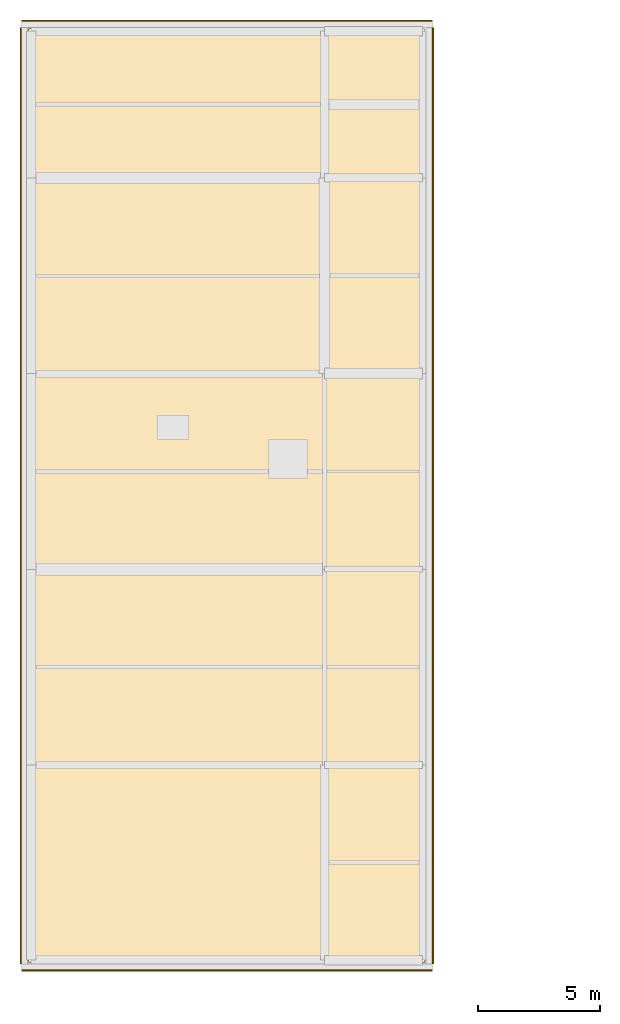
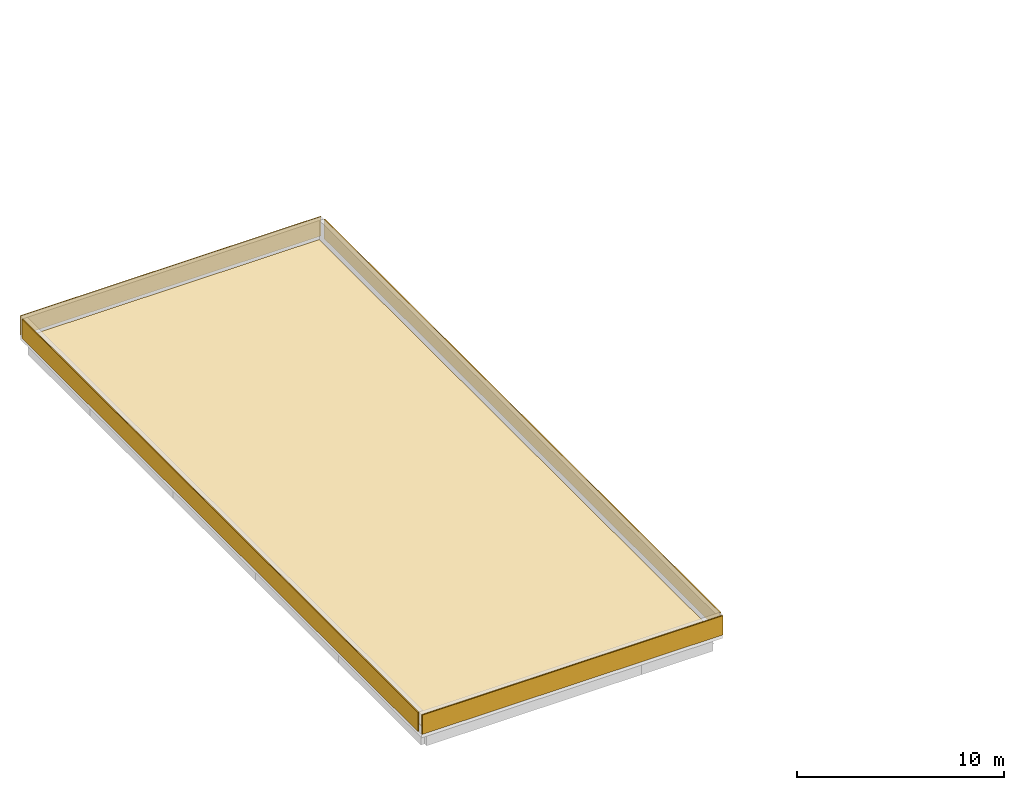
# One storey, part 19 of 22: 5 coverings.
"""IFC4 building model written with IfcOpenShell, lengths in metres."""

from ifc_helpers import new_model, si_unit, direction, frame, origin, origin_2d, place, context, subcontext, project, spatial, polyline, rectangle, outline, extrude, material, layer, layer_set, type_object, element, save


model = new_model("IFC4")

# Units and contexts
model_context = context("Model", 3, precision=1e-05, world=origin(), true_north=direction((0.0, 1.0)))
body_context = subcontext(model_context, "Body", "Model", "MODEL_VIEW")
ifc_project = project(units=[si_unit("LENGTHUNIT", "METRE"), si_unit("AREAUNIT", "SQUARE_METRE"), si_unit("VOLUMEUNIT", "CUBIC_METRE"), si_unit("PLANEANGLEUNIT", "RADIAN"), si_unit("MASSUNIT", "GRAM", prefix="KILO")], contexts=[model_context])

# Site, building, storey
site_placement = place(None, origin())
site = spatial("IfcSite", under=ifc_project, at=site_placement, CompositionType="ELEMENT")
building_placement = place(site_placement, origin())
building = spatial("IfcBuilding", under=site, at=building_placement, Name="Qalavern Law Courts", CompositionType="ELEMENT")
storey_placement = place(building_placement, frame((0.0, 0.0, 35.39990234375)))
storey = spatial("IfcBuildingStorey", under=building, at=storey_placement, Name="L08", CompositionType="ELEMENT", Elevation=35.39990234375)

# Coverings
ifc_material_1 = material(Name="Precast concrete C40/50", Category="concrete")
ifc_layer_1 = layer(ifc_material_1, 0.06005859375)
ifc_layer_set_1 = layer_set([ifc_layer_1], Name="Precast concrete C40/50")
covering_type_1 = type_object("IfcCoveringType", Name="ENV-CLD-1", PredefinedType="CLADDING", material=ifc_layer_set_1)
covering_1_placement = place(storey_placement, frame((10.39990234375, 40.992919921875, 0.00537109375), z_axis=(0.0, 0.0, 1.0), x_axis=(1.0, 0.0, 0.0)))
element("IfcCovering", 1, at=covering_1_placement, inside=storey, type_object=covering_type_1, Name="V3 Absheron limestone parapet coping L08 S", PredefinedType="CLADDING", context=body_context, shape_type="SweptSolid", body=[
    extrude(rectangle(XDim=16.780029296875, YDim=0.06005859375, at=origin_2d()), origin(), (0.0, 0.0, 1.0), 1.139892578125),
])
covering_2_placement = place(storey_placement, frame((18.826904296875, 60.409912109375, 0.00537109375), z_axis=(0.0, 0.0, 1.0), x_axis=(0.0, 1.0, 0.0)))
element("IfcCovering", 2, at=covering_2_placement, inside=storey, type_object=covering_type_1, Name="V3 Absheron limestone parapet coping L08 E", PredefinedType="CLADDING", context=body_context, shape_type="SweptSolid", body=[
    extrude(rectangle(XDim=38.260009765625, YDim=0.06005859375, at=origin_2d()), origin(), (0.0, 0.0, 1.0), 1.139892578125),
])
covering_3_placement = place(storey_placement, frame((10.39990234375, 79.826904296875, 0.00537109375), z_axis=(0.0, 0.0, 1.0), x_axis=(-1.0, 0.0, 0.0)))
element("IfcCovering", 3, at=covering_3_placement, inside=storey, type_object=covering_type_1, Name="V3 Absheron limestone parapet coping L08 N", PredefinedType="CLADDING", context=body_context, shape_type="SweptSolid", body=[
    extrude(rectangle(XDim=16.780029296875, YDim=0.06005859375, at=origin_2d()), origin(), (0.0, 0.0, 1.0), 1.139892578125),
])
covering_4_placement = place(storey_placement, frame((1.972900390625, 60.409912109375, 0.00537109375), z_axis=(0.0, 0.0, 1.0), x_axis=(0.0, -1.0, 0.0)))
element("IfcCovering", 4, at=covering_4_placement, inside=storey, type_object=covering_type_1, Name="V3 Absheron limestone parapet coping L08 W", PredefinedType="CLADDING", context=body_context, shape_type="SweptSolid", body=[
    extrude(rectangle(XDim=38.260009765625, YDim=0.06005859375, at=origin_2d()), origin(), (0.0, 0.0, 1.0), 1.139892578125),
])
ifc_material_2 = material(Name="EPDM waterproofing membrane and rigid thermal insulation")
ifc_layer_2 = layer(ifc_material_2, 0.074951171875)
ifc_layer_set_2 = layer_set([ifc_layer_2], Name="EPDM waterproofing membrane and rigid thermal insulation")
covering_type_2 = type_object("IfcCoveringType", Name="ENV-RFG-1", PredefinedType="ROOFING", material=ifc_layer_set_2)
covering_5_placement = place(storey_placement, origin())
element("IfcCovering", 5, at=covering_5_placement, inside=storey, type_object=covering_type_2, Name="V3 roof waterproofing and insulation L08", PredefinedType="ROOFING", context=body_context, shape_type="SweptSolid", body=[
    extrude(outline(polyline([(2.300048828125, 41.320068359375), (18.5, 41.320068359375), (18.5, 79.5), (2.300048828125, 79.5), (2.300048828125, 41.320068359375)])), origin(), (0.0, 0.0, 1.0), 0.0751953125),
])

save(model, "model.ifc")
